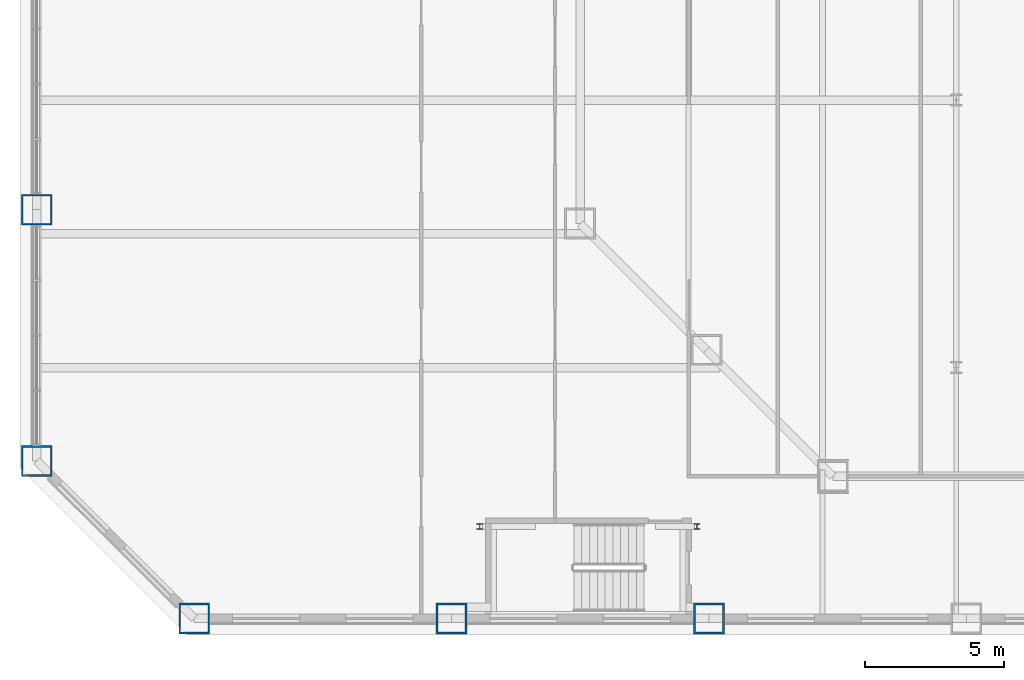
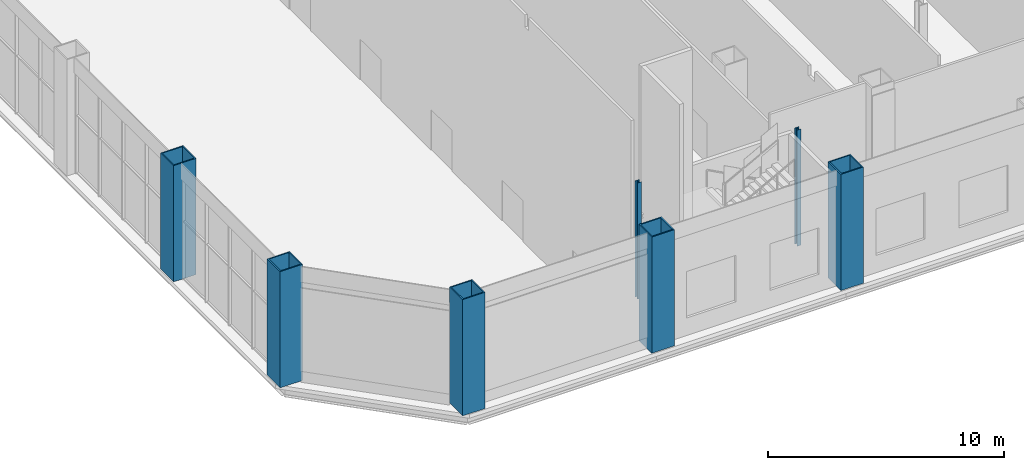
# One storey, part 1 of 31: 7 columns.
"""IFC4 building model written with IfcOpenShell, lengths in metres."""

from ifc_helpers import new_model, si_unit, direction, frame, origin, origin_2d, place, context, subcontext, project, spatial, hollow_rectangle, i_section, extrude, material, material_profile, profile_set, type_object, element, save


model = new_model("IFC4")

# Units and contexts
model_context = context("Model", 3, precision=1e-05, world=origin(), true_north=direction((0.0, 1.0)))
body_context = subcontext(model_context, "Body", "Model", "MODEL_VIEW")
ifc_project = project(units=[si_unit("LENGTHUNIT", "METRE"), si_unit("AREAUNIT", "SQUARE_METRE"), si_unit("VOLUMEUNIT", "CUBIC_METRE"), si_unit("PLANEANGLEUNIT", "RADIAN"), si_unit("MASSUNIT", "GRAM", prefix="KILO")], contexts=[model_context])

# Site, building, storey
site_placement = place(None, origin())
site = spatial("IfcSite", under=ifc_project, at=site_placement, CompositionType="ELEMENT")
building_placement = place(site_placement, origin())
building = spatial("IfcBuilding", under=site, at=building_placement, Name="Cairn Pilgrim Tower", CompositionType="ELEMENT")
storey_placement = place(building_placement, frame((0.0, 0.0, 9.0)))
storey = spatial("IfcBuildingStorey", under=building, at=storey_placement, Name="L01", CompositionType="ELEMENT", Elevation=9.0)

# Columns
ifc_material_1 = material(Name="Structural steel S460M", Category="steel")
ifc_material_profile_1 = material_profile(ifc_material_1, hollow_rectangle(XDim=1.10009765625, YDim=1.10009765625, WallThickness=0.06005859375, at=origin_2d()), Name="BOX 1100x1100x60")
ifc_profile_set_1 = profile_set([ifc_material_profile_1], Name="Structural steel S460M")
column_type_1 = type_object("IfcColumnType", Name="PILOTIS CFT 1100", PredefinedType="COLUMN", material=ifc_profile_set_1)
for number, where, z_axis, x_axis, name in (
    (1, (-41.75146484375, -28.199951171875, 0.0), (0.0, 0.0, 1.0), (1.0, 0.0, 0.0), "PILOTIS PL-S1"),
    (2, (-32.513671875, -28.199951171875, 0.0), (0.0, 0.0, 1.0), (1.0, 0.0, 0.0), "PILOTIS PL-S2"),
    (3, (-23.275634765625, -28.199951171875, 0.0), (0.0, 0.0, 1.0), (1.0, 0.0, 0.0), "PILOTIS PL-S3"),
    (4, (-47.39990234375, -13.531005859375, 0.0), (0.0, 0.0, 1.0), (1.0, 0.0, 0.0), "PILOTIS PL-W5"),
    (5, (-47.39990234375, -22.551513671875, 0.0), (0.0, 0.0, 1.0), (1.0, 0.0, 0.0), "PILOTIS PL-SW1"),
):
    element("IfcColumn", number, at=place(storey_placement, frame(where, z_axis=z_axis, x_axis=x_axis)), inside=storey, type_object=column_type_1, Name=name, PredefinedType="COLUMN", context=body_context, shape_type="SweptSolid", body=[
        extrude(hollow_rectangle(XDim=1.10009765625, YDim=1.10009765625, WallThickness=0.06005859375, at=origin_2d()), origin(), (0.0, 0.0, 1.0), 6.0),
    ])
ifc_material_2 = material(Name="Structural steel S355J2", Category="steel")
ifc_material_profile_2 = material_profile(ifc_material_2, i_section(OverallWidth=0.199951171875, OverallDepth=0.199951171875, WebThickness=0.009033203125, FlangeThickness=0.014892578125, FilletRadius=0.01806640625, at=origin_2d()), Name="HE 200 B")
ifc_profile_set_2 = profile_set([ifc_material_profile_2], Name="Structural steel S355J2")
column_type_2 = type_object("IfcColumnType", Name="STAIR POST HE 200 B", PredefinedType="COLUMN", material=ifc_profile_set_2)
for number, where, z_axis, x_axis, name in (
    (6, (-31.5, -24.89990234375, 0.0), (0.0, 0.0, 1.0), (1.0, 0.0, 0.0), "STAIR POST LP-HS-W"),
    (7, (-23.699951171875, -24.89990234375, 0.0), (0.0, 0.0, 1.0), (1.0, 0.0, 0.0), "STAIR POST LP-HS-E"),
):
    element("IfcColumn", number, at=place(storey_placement, frame(where, z_axis=z_axis, x_axis=x_axis)), inside=storey, type_object=column_type_2, Name=name, PredefinedType="COLUMN", context=body_context, shape_type="SweptSolid", body=[
        extrude(i_section(OverallWidth=0.199951171875, OverallDepth=0.199951171875, WebThickness=0.009033203125, FlangeThickness=0.014892578125, FilletRadius=0.01806640625, at=origin_2d()), origin(), (0.0, 0.0, 1.0), 6.0),
    ])

save(model, "model.ifc")
